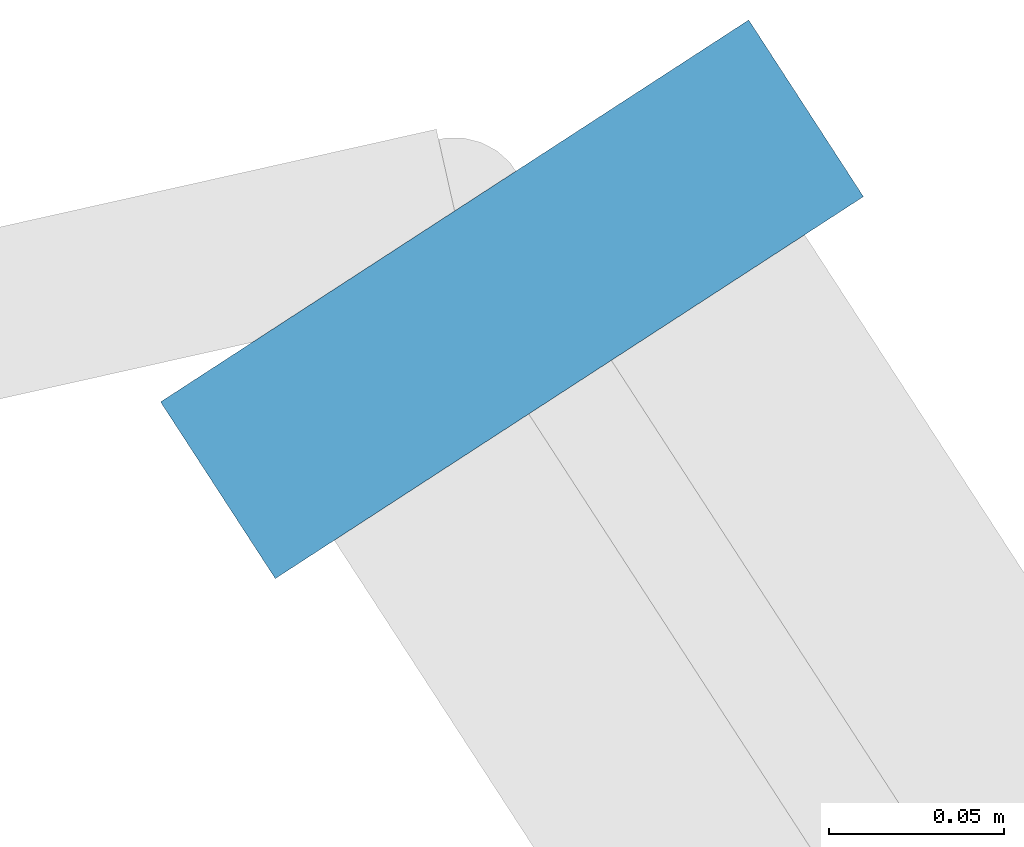
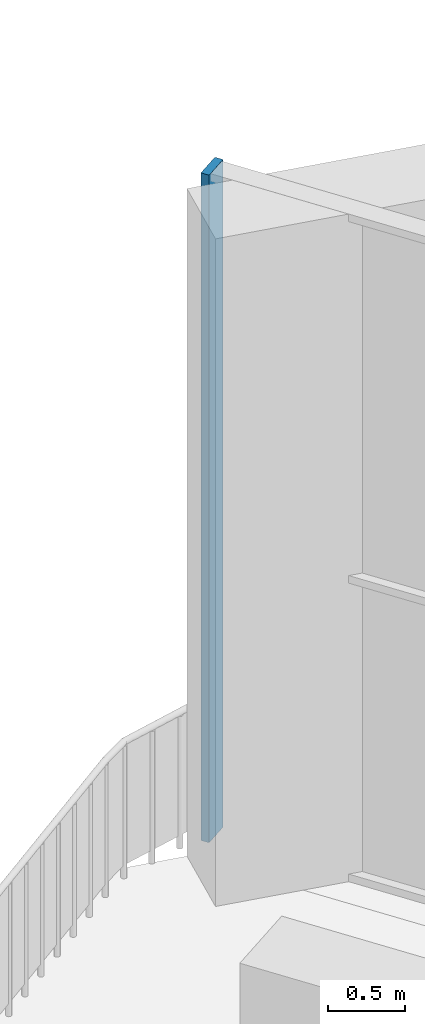
# One storey, part 5 of 19: 1 member, 1 element without a shape of its own.
"""IFC4 building model written with IfcOpenShell, lengths in metres."""

from ifc_helpers import new_model, si_unit, direction, frame, origin, origin_2d, place, context, subcontext, project, spatial, rectangle, extrude, material, material_profile, profile_set, type_object, element, aggregate, save


model = new_model("IFC4")

# Units and contexts
model_context = context("Model", 3, precision=1e-05, world=origin(), true_north=direction((0.0, 1.0)))
body_context = subcontext(model_context, "Body", "Model", "MODEL_VIEW")
ifc_project = project(units=[si_unit("LENGTHUNIT", "METRE"), si_unit("AREAUNIT", "SQUARE_METRE"), si_unit("VOLUMEUNIT", "CUBIC_METRE"), si_unit("PLANEANGLEUNIT", "RADIAN"), si_unit("MASSUNIT", "GRAM", prefix="KILO")], contexts=[model_context])

# Site, building, storey
site_placement = place(None, origin())
site = spatial("IfcSite", under=ifc_project, at=site_placement, CompositionType="ELEMENT")
building_placement = place(site_placement, origin())
building = spatial("IfcBuilding", under=site, at=building_placement, Name="Dilmun Exchange Tower", CompositionType="ELEMENT")
storey_placement = place(building_placement, frame((0.0, 0.0, 344.5)))
storey = spatial("IfcBuildingStorey", under=building, at=storey_placement, Name="L82", CompositionType="ELEMENT", Elevation=344.5)

# Curtain wall, member
ifc_material_1 = material(Name="Anodised aluminium and clear glass", Category="aluminium")
curtain_wall_type = type_object("IfcCurtainWallType", Name="Garden corner glazing", PredefinedType="NOTDEFINED", material=ifc_material_1)
curtain_wall_placement = place(storey_placement, origin())
curtain_wall = element("IfcCurtainWall", 1, at=curtain_wall_placement, inside=storey, type_object=curtain_wall_type, Name="Garden corner glazing run GC1.1", PredefinedType="NOTDEFINED")
ifc_material_2 = material(Name="Anodised aluminium", Category="aluminium")
ifc_material_profile = material_profile(ifc_material_2, rectangle(XDim=0.199951171875, YDim=0.06005859375, at=origin_2d()), Name="AL 60x200")
ifc_profile_set = profile_set([ifc_material_profile], Name="Anodised aluminium")
member_type = type_object("IfcMemberType", Name="Garden corner glazing mullion 60 x 200", PredefinedType="MULLION", material=ifc_profile_set)
member_placement = place(storey_placement, frame((-14.52490234375, 33.95263671875, 0.0), z_axis=(0.0, 0.0, 1.0), x_axis=(0.838674338179, 0.54463322932, 0.0)))
member = element("IfcMember", 2, at=member_placement, type_object=member_type, Name="GC1.1 mullion 1", PredefinedType="MULLION", context=body_context, shape_type="SweptSolid", body=[
    extrude(rectangle(XDim=0.199951171875, YDim=0.06005859375, at=origin_2d()), origin(), (0.0, 0.0, 1.0), 5.300048828125),
])
aggregate(curtain_wall, [member])

save(model, "model.ifc")
